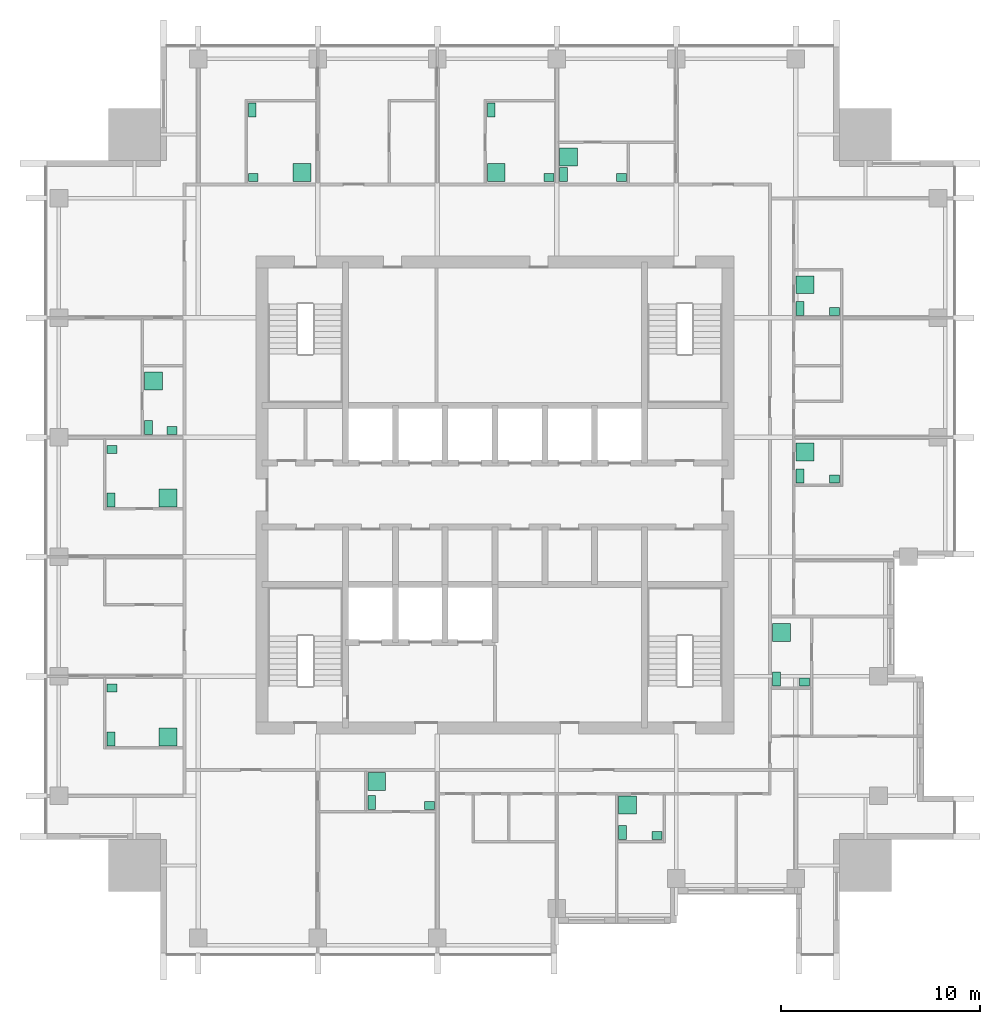
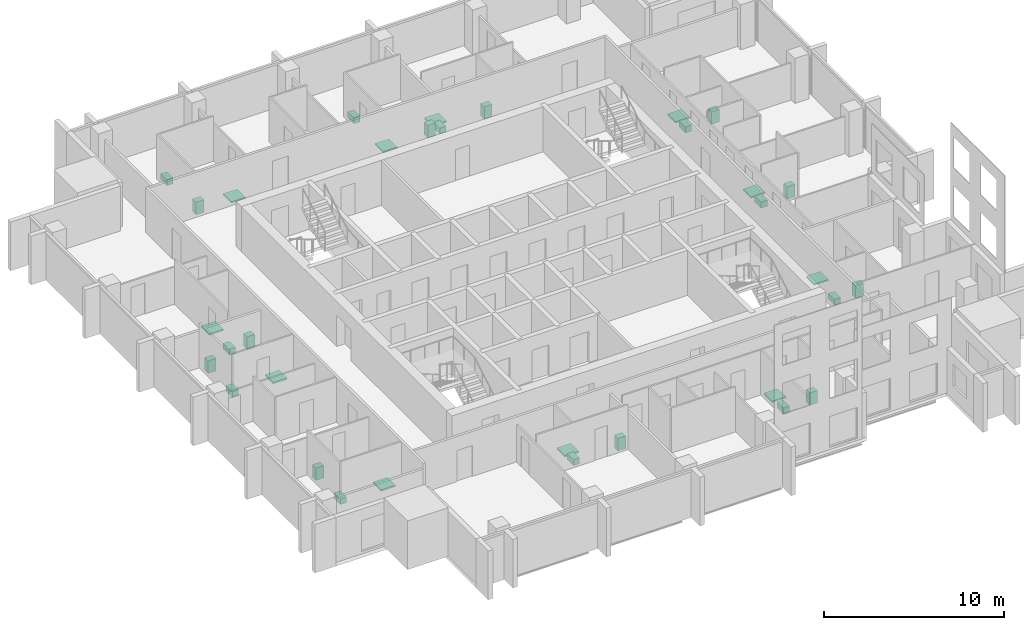
# One storey, part 11 of 11: 33 sanitary terminals.
"""IFC4 building model written with IfcOpenShell, lengths in metres."""

from ifc_helpers import new_model, si_unit, direction, frame, origin, origin_2d, place, context, subcontext, project, spatial, rectangle, extrude, element, save


model = new_model("IFC4")

# Units and contexts
model_context = context("Model", 3, precision=1e-05, world=origin(), true_north=direction((0.0, 1.0)))
body_context = subcontext(model_context, "Body", "Model", "MODEL_VIEW")
ifc_project = project(units=[si_unit("LENGTHUNIT", "METRE"), si_unit("AREAUNIT", "SQUARE_METRE"), si_unit("VOLUMEUNIT", "CUBIC_METRE"), si_unit("PLANEANGLEUNIT", "RADIAN"), si_unit("MASSUNIT", "GRAM", prefix="KILO")], contexts=[model_context])

# Site, building, storey
site_placement = place(None, origin())
site = spatial("IfcSite", under=ifc_project, at=site_placement, CompositionType="ELEMENT")
building_placement = place(site_placement, origin())
building = spatial("IfcBuilding", under=site, at=building_placement, Name="Amberfall Residences", CompositionType="ELEMENT")
storey_placement = place(building_placement, frame((0.0, 0.0, 196.89990234375)))
storey = spatial("IfcBuildingStorey", under=building, at=storey_placement, Name="L52", CompositionType="ELEMENT", Elevation=196.89990234375)

# Sanitary terminals
sanitary_terminal_1_placement = place(storey_placement, frame((68.31005859375, 30.06005859375, 0.000244140625), z_axis=(0.0, 0.0, 1.0), x_axis=(1.0, 0.0, 0.0)))
element("IfcSanitaryTerminal", 1, at=sanitary_terminal_1_placement, inside=storey, Name="Water closet 5201", PredefinedType="TOILETPAN", context=body_context, shape_type="SweptSolid", body=[
    extrude(rectangle(XDim=0.39990234375, YDim=0.699951171875, at=origin_2d()), origin(), (0.0, 0.0, 1.0), 0.39990234375),
])
sanitary_terminal_2_placement = place(storey_placement, frame((71.215087890625, 29.909912109375, 0.0), z_axis=(0.0, 0.0, 1.0), x_axis=(1.0, 0.0, 0.0)))
element("IfcSanitaryTerminal", 2, at=sanitary_terminal_2_placement, inside=storey, Name="Basin 5201", PredefinedType="WASHHANDBASIN", context=body_context, shape_type="SweptSolid", body=[
    extrude(rectangle(XDim=0.5, YDim=0.39990234375, at=origin_2d()), origin(), (0.0, 0.0, 1.0), 0.85009765625),
])
sanitary_terminal_3_placement = place(storey_placement, frame((68.56005859375, 31.114990234375, 0.0), z_axis=(0.0, 0.0, 1.0), x_axis=(1.0, 0.0, 0.0)))
element("IfcSanitaryTerminal", 3, at=sanitary_terminal_3_placement, inside=storey, Name="Shower tray 5201", PredefinedType="SHOWER", context=body_context, shape_type="SweptSolid", body=[
    extrude(rectangle(XDim=0.89990234375, YDim=0.89990234375, at=origin_2d()), origin(), (0.0, 0.0, 1.0), 0.10009765625),
])
sanitary_terminal_4_placement = place(storey_placement, frame((80.909912109375, 28.56005859375, 0.000244140625), z_axis=(0.0, 0.0, 1.0), x_axis=(1.0, 0.0, 0.0)))
element("IfcSanitaryTerminal", 4, at=sanitary_terminal_4_placement, inside=storey, Name="Water closet 5202", PredefinedType="TOILETPAN", context=body_context, shape_type="SweptSolid", body=[
    extrude(rectangle(XDim=0.39990234375, YDim=0.699951171875, at=origin_2d()), origin(), (0.0, 0.0, 1.0), 0.39990234375),
])
sanitary_terminal_5_placement = place(storey_placement, frame((82.639892578125, 28.409912109375, 0.0), z_axis=(0.0, 0.0, 1.0), x_axis=(1.0, 0.0, 0.0)))
element("IfcSanitaryTerminal", 5, at=sanitary_terminal_5_placement, inside=storey, Name="Basin 5202", PredefinedType="WASHHANDBASIN", context=body_context, shape_type="SweptSolid", body=[
    extrude(rectangle(XDim=0.5, YDim=0.39990234375, at=origin_2d()), origin(), (0.0, 0.0, 1.0), 0.85009765625),
])
sanitary_terminal_6_placement = place(storey_placement, frame((81.159912109375, 29.93994140625, 0.0), z_axis=(0.0, 0.0, 1.0), x_axis=(1.0, 0.0, 0.0)))
element("IfcSanitaryTerminal", 6, at=sanitary_terminal_6_placement, inside=storey, Name="Shower tray 5202", PredefinedType="SHOWER", context=body_context, shape_type="SweptSolid", body=[
    extrude(rectangle(XDim=0.89990234375, YDim=0.89990234375, at=origin_2d()), origin(), (0.0, 0.0, 1.0), 0.10009765625),
])
sanitary_terminal_7_placement = place(storey_placement, frame((88.635009765625, 36.260009765625, 0.000244140625), z_axis=(0.0, 0.0, 1.0), x_axis=(1.0, 0.0, 0.0)))
element("IfcSanitaryTerminal", 7, at=sanitary_terminal_7_placement, inside=storey, Name="Water closet 5203", PredefinedType="TOILETPAN", context=body_context, shape_type="SweptSolid", body=[
    extrude(rectangle(XDim=0.39990234375, YDim=0.699951171875, at=origin_2d()), origin(), (0.0, 0.0, 1.0), 0.39990234375),
])
sanitary_terminal_8_placement = place(storey_placement, frame((90.0400390625, 36.110107421875, 0.0), z_axis=(0.0, 0.0, 1.0), x_axis=(1.0, 0.0, 0.0)))
element("IfcSanitaryTerminal", 8, at=sanitary_terminal_8_placement, inside=storey, Name="Basin 5203", PredefinedType="WASHHANDBASIN", context=body_context, shape_type="SweptSolid", body=[
    extrude(rectangle(XDim=0.5, YDim=0.39990234375, at=origin_2d()), origin(), (0.0, 0.0, 1.0), 0.85009765625),
])
sanitary_terminal_9_placement = place(storey_placement, frame((88.885009765625, 38.591796875, 0.0), z_axis=(0.0, 0.0, 1.0), x_axis=(1.0, 0.0, 0.0)))
element("IfcSanitaryTerminal", 9, at=sanitary_terminal_9_placement, inside=storey, Name="Shower tray 5203", PredefinedType="SHOWER", context=body_context, shape_type="SweptSolid", body=[
    extrude(rectangle(XDim=0.89990234375, YDim=0.89990234375, at=origin_2d()), origin(), (0.0, 0.0, 1.0), 0.10009765625),
])
sanitary_terminal_10_placement = place(storey_placement, frame((89.81005859375, 46.4599609375, 0.000244140625), z_axis=(0.0, 0.0, 1.0), x_axis=(1.0, 0.0, 0.0)))
element("IfcSanitaryTerminal", 10, at=sanitary_terminal_10_placement, inside=storey, Name="Water closet 5204", PredefinedType="TOILETPAN", context=body_context, shape_type="SweptSolid", body=[
    extrude(rectangle(XDim=0.39990234375, YDim=0.699951171875, at=origin_2d()), origin(), (0.0, 0.0, 1.0), 0.39990234375),
])
sanitary_terminal_11_placement = place(storey_placement, frame((91.5400390625, 46.31005859375, 0.0), z_axis=(0.0, 0.0, 1.0), x_axis=(1.0, 0.0, 0.0)))
element("IfcSanitaryTerminal", 11, at=sanitary_terminal_11_placement, inside=storey, Name="Basin 5204", PredefinedType="WASHHANDBASIN", context=body_context, shape_type="SweptSolid", body=[
    extrude(rectangle(XDim=0.5, YDim=0.39990234375, at=origin_2d()), origin(), (0.0, 0.0, 1.0), 0.85009765625),
])
sanitary_terminal_12_placement = place(storey_placement, frame((90.06005859375, 47.6572265625, 0.0), z_axis=(0.0, 0.0, 1.0), x_axis=(1.0, 0.0, 0.0)))
element("IfcSanitaryTerminal", 12, at=sanitary_terminal_12_placement, inside=storey, Name="Shower tray 5204", PredefinedType="SHOWER", context=body_context, shape_type="SweptSolid", body=[
    extrude(rectangle(XDim=0.89990234375, YDim=0.89990234375, at=origin_2d()), origin(), (0.0, 0.0, 1.0), 0.10009765625),
])
sanitary_terminal_13_placement = place(storey_placement, frame((89.81005859375, 54.860107421875, 0.000244140625), z_axis=(0.0, 0.0, 1.0), x_axis=(1.0, 0.0, 0.0)))
element("IfcSanitaryTerminal", 13, at=sanitary_terminal_13_placement, inside=storey, Name="Water closet 5204", PredefinedType="TOILETPAN", context=body_context, shape_type="SweptSolid", body=[
    extrude(rectangle(XDim=0.39990234375, YDim=0.699951171875, at=origin_2d()), origin(), (0.0, 0.0, 1.0), 0.39990234375),
])
sanitary_terminal_14_placement = place(storey_placement, frame((91.5400390625, 54.7099609375, 0.0), z_axis=(0.0, 0.0, 1.0), x_axis=(1.0, 0.0, 0.0)))
element("IfcSanitaryTerminal", 14, at=sanitary_terminal_14_placement, inside=storey, Name="Basin 5204", PredefinedType="WASHHANDBASIN", context=body_context, shape_type="SweptSolid", body=[
    extrude(rectangle(XDim=0.5, YDim=0.39990234375, at=origin_2d()), origin(), (0.0, 0.0, 1.0), 0.85009765625),
])
sanitary_terminal_15_placement = place(storey_placement, frame((90.06005859375, 56.05712890625, 0.0), z_axis=(0.0, 0.0, 1.0), x_axis=(1.0, 0.0, 0.0)))
element("IfcSanitaryTerminal", 15, at=sanitary_terminal_15_placement, inside=storey, Name="Shower tray 5204", PredefinedType="SHOWER", context=body_context, shape_type="SweptSolid", body=[
    extrude(rectangle(XDim=0.89990234375, YDim=0.89990234375, at=origin_2d()), origin(), (0.0, 0.0, 1.0), 0.10009765625),
])
sanitary_terminal_16_placement = place(storey_placement, frame((62.31005859375, 64.840087890625, 0.000244140625), z_axis=(0.0, 0.0, 1.0), x_axis=(1.0, 0.0, 0.0)))
element("IfcSanitaryTerminal", 16, at=sanitary_terminal_16_placement, inside=storey, Name="Water closet 5205", PredefinedType="TOILETPAN", context=body_context, shape_type="SweptSolid", body=[
    extrude(rectangle(XDim=0.39990234375, YDim=0.699951171875, at=origin_2d()), origin(), (0.0, 0.0, 1.0), 0.39990234375),
])
sanitary_terminal_17_placement = place(storey_placement, frame((62.360107421875, 61.43505859375, 0.0), z_axis=(0.0, 0.0, 1.0), x_axis=(1.0, 0.0, 0.0)))
element("IfcSanitaryTerminal", 17, at=sanitary_terminal_17_placement, inside=storey, Name="Basin 5205", PredefinedType="WASHHANDBASIN", context=body_context, shape_type="SweptSolid", body=[
    extrude(rectangle(XDim=0.5, YDim=0.39990234375, at=origin_2d()), origin(), (0.0, 0.0, 1.0), 0.85009765625),
])
sanitary_terminal_18_placement = place(storey_placement, frame((64.814453125, 61.68505859375, 0.0), z_axis=(0.0, 0.0, 1.0), x_axis=(1.0, 0.0, 0.0)))
element("IfcSanitaryTerminal", 18, at=sanitary_terminal_18_placement, inside=storey, Name="Shower tray 5205", PredefinedType="SHOWER", context=body_context, shape_type="SweptSolid", body=[
    extrude(rectangle(XDim=0.89990234375, YDim=0.89990234375, at=origin_2d()), origin(), (0.0, 0.0, 1.0), 0.10009765625),
])
sanitary_terminal_19_placement = place(storey_placement, frame((74.31005859375, 64.840087890625, 0.000244140625), z_axis=(0.0, 0.0, 1.0), x_axis=(1.0, 0.0, 0.0)))
element("IfcSanitaryTerminal", 19, at=sanitary_terminal_19_placement, inside=storey, Name="Water closet 5205", PredefinedType="TOILETPAN", context=body_context, shape_type="SweptSolid", body=[
    extrude(rectangle(XDim=0.39990234375, YDim=0.699951171875, at=origin_2d()), origin(), (0.0, 0.0, 1.0), 0.39990234375),
])
sanitary_terminal_20_placement = place(storey_placement, frame((77.215087890625, 61.43505859375, 0.0), z_axis=(0.0, 0.0, 1.0), x_axis=(1.0, 0.0, 0.0)))
element("IfcSanitaryTerminal", 20, at=sanitary_terminal_20_placement, inside=storey, Name="Basin 5205", PredefinedType="WASHHANDBASIN", context=body_context, shape_type="SweptSolid", body=[
    extrude(rectangle(XDim=0.5, YDim=0.39990234375, at=origin_2d()), origin(), (0.0, 0.0, 1.0), 0.85009765625),
])
sanitary_terminal_21_placement = place(storey_placement, frame((74.56005859375, 61.68505859375, 0.0), z_axis=(0.0, 0.0, 1.0), x_axis=(1.0, 0.0, 0.0)))
element("IfcSanitaryTerminal", 21, at=sanitary_terminal_21_placement, inside=storey, Name="Shower tray 5205", PredefinedType="SHOWER", context=body_context, shape_type="SweptSolid", body=[
    extrude(rectangle(XDim=0.89990234375, YDim=0.89990234375, at=origin_2d()), origin(), (0.0, 0.0, 1.0), 0.10009765625),
])
sanitary_terminal_22_placement = place(storey_placement, frame((77.93505859375, 61.5849609375, 0.000244140625), z_axis=(0.0, 0.0, 1.0), x_axis=(1.0, 0.0, 0.0)))
element("IfcSanitaryTerminal", 22, at=sanitary_terminal_22_placement, inside=storey, Name="Water closet 5206", PredefinedType="TOILETPAN", context=body_context, shape_type="SweptSolid", body=[
    extrude(rectangle(XDim=0.39990234375, YDim=0.699951171875, at=origin_2d()), origin(), (0.0, 0.0, 1.0), 0.39990234375),
])
sanitary_terminal_23_placement = place(storey_placement, frame((80.840087890625, 61.43505859375, 0.0), z_axis=(0.0, 0.0, 1.0), x_axis=(1.0, 0.0, 0.0)))
element("IfcSanitaryTerminal", 23, at=sanitary_terminal_23_placement, inside=storey, Name="Basin 5206", PredefinedType="WASHHANDBASIN", context=body_context, shape_type="SweptSolid", body=[
    extrude(rectangle(XDim=0.5, YDim=0.39990234375, at=origin_2d()), origin(), (0.0, 0.0, 1.0), 0.85009765625),
])
sanitary_terminal_24_placement = place(storey_placement, frame((78.18505859375, 62.480712890625, 0.0), z_axis=(0.0, 0.0, 1.0), x_axis=(1.0, 0.0, 0.0)))
element("IfcSanitaryTerminal", 24, at=sanitary_terminal_24_placement, inside=storey, Name="Shower tray 5206", PredefinedType="SHOWER", context=body_context, shape_type="SweptSolid", body=[
    extrude(rectangle(XDim=0.89990234375, YDim=0.89990234375, at=origin_2d()), origin(), (0.0, 0.0, 1.0), 0.10009765625),
])
sanitary_terminal_25_placement = place(storey_placement, frame((55.2099609375, 33.260009765625, 0.000244140625), z_axis=(0.0, 0.0, 1.0), x_axis=(1.0, 0.0, 0.0)))
element("IfcSanitaryTerminal", 25, at=sanitary_terminal_25_placement, inside=storey, Name="Water closet 5207", PredefinedType="TOILETPAN", context=body_context, shape_type="SweptSolid", body=[
    extrude(rectangle(XDim=0.39990234375, YDim=0.699951171875, at=origin_2d()), origin(), (0.0, 0.0, 1.0), 0.39990234375),
])
sanitary_terminal_26_placement = place(storey_placement, frame((55.260009765625, 35.819091796875, 0.0), z_axis=(0.0, 0.0, 1.0), x_axis=(1.0, 0.0, 0.0)))
element("IfcSanitaryTerminal", 26, at=sanitary_terminal_26_placement, inside=storey, Name="Basin 5207", PredefinedType="WASHHANDBASIN", context=body_context, shape_type="SweptSolid", body=[
    extrude(rectangle(XDim=0.5, YDim=0.39990234375, at=origin_2d()), origin(), (0.0, 0.0, 1.0), 0.85009765625),
])
sanitary_terminal_27_placement = place(storey_placement, frame((58.0771484375, 33.360107421875, 0.0), z_axis=(0.0, 0.0, 1.0), x_axis=(1.0, 0.0, 0.0)))
element("IfcSanitaryTerminal", 27, at=sanitary_terminal_27_placement, inside=storey, Name="Shower tray 5207", PredefinedType="SHOWER", context=body_context, shape_type="SweptSolid", body=[
    extrude(rectangle(XDim=0.89990234375, YDim=0.89990234375, at=origin_2d()), origin(), (0.0, 0.0, 1.0), 0.10009765625),
])
sanitary_terminal_28_placement = place(storey_placement, frame((55.2099609375, 45.260009765625, 0.000244140625), z_axis=(0.0, 0.0, 1.0), x_axis=(1.0, 0.0, 0.0)))
element("IfcSanitaryTerminal", 28, at=sanitary_terminal_28_placement, inside=storey, Name="Water closet 5207", PredefinedType="TOILETPAN", context=body_context, shape_type="SweptSolid", body=[
    extrude(rectangle(XDim=0.39990234375, YDim=0.699951171875, at=origin_2d()), origin(), (0.0, 0.0, 1.0), 0.39990234375),
])
sanitary_terminal_29_placement = place(storey_placement, frame((55.260009765625, 47.79638671875, 0.0), z_axis=(0.0, 0.0, 1.0), x_axis=(1.0, 0.0, 0.0)))
element("IfcSanitaryTerminal", 29, at=sanitary_terminal_29_placement, inside=storey, Name="Basin 5207", PredefinedType="WASHHANDBASIN", context=body_context, shape_type="SweptSolid", body=[
    extrude(rectangle(XDim=0.5, YDim=0.39990234375, at=origin_2d()), origin(), (0.0, 0.0, 1.0), 0.85009765625),
])
sanitary_terminal_30_placement = place(storey_placement, frame((58.0771484375, 45.360107421875, 0.0), z_axis=(0.0, 0.0, 1.0), x_axis=(1.0, 0.0, 0.0)))
element("IfcSanitaryTerminal", 30, at=sanitary_terminal_30_placement, inside=storey, Name="Shower tray 5207", PredefinedType="SHOWER", context=body_context, shape_type="SweptSolid", body=[
    extrude(rectangle(XDim=0.89990234375, YDim=0.89990234375, at=origin_2d()), origin(), (0.0, 0.0, 1.0), 0.10009765625),
])
sanitary_terminal_31_placement = place(storey_placement, frame((57.110107421875, 48.885009765625, 0.000244140625), z_axis=(0.0, 0.0, 1.0), x_axis=(1.0, 0.0, 0.0)))
element("IfcSanitaryTerminal", 31, at=sanitary_terminal_31_placement, inside=storey, Name="Water closet 5208", PredefinedType="TOILETPAN", context=body_context, shape_type="SweptSolid", body=[
    extrude(rectangle(XDim=0.39990234375, YDim=0.699951171875, at=origin_2d()), origin(), (0.0, 0.0, 1.0), 0.39990234375),
])
sanitary_terminal_32_placement = place(storey_placement, frame((58.2890625, 48.735107421875, 0.0), z_axis=(0.0, 0.0, 1.0), x_axis=(1.0, 0.0, 0.0)))
element("IfcSanitaryTerminal", 32, at=sanitary_terminal_32_placement, inside=storey, Name="Basin 5208", PredefinedType="WASHHANDBASIN", context=body_context, shape_type="SweptSolid", body=[
    extrude(rectangle(XDim=0.5, YDim=0.39990234375, at=origin_2d()), origin(), (0.0, 0.0, 1.0), 0.85009765625),
])
sanitary_terminal_33_placement = place(storey_placement, frame((57.360107421875, 51.216796875, 0.0), z_axis=(0.0, 0.0, 1.0), x_axis=(1.0, 0.0, 0.0)))
element("IfcSanitaryTerminal", 33, at=sanitary_terminal_33_placement, inside=storey, Name="Shower tray 5208", PredefinedType="SHOWER", context=body_context, shape_type="SweptSolid", body=[
    extrude(rectangle(XDim=0.89990234375, YDim=0.89990234375, at=origin_2d()), origin(), (0.0, 0.0, 1.0), 0.10009765625),
])

save(model, "model.ifc")
